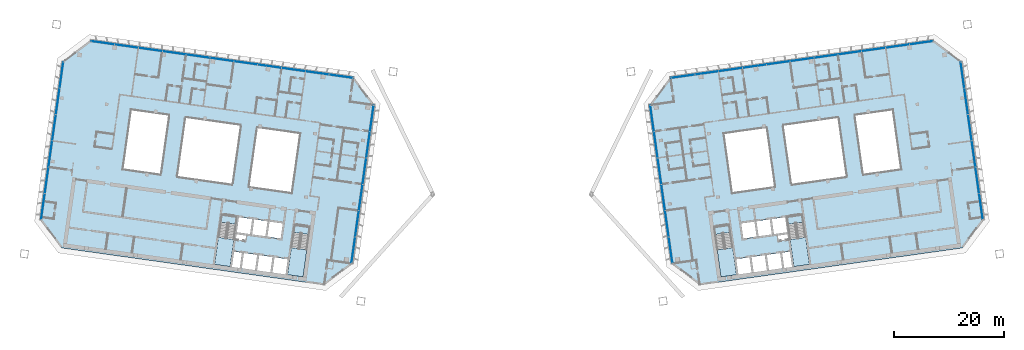
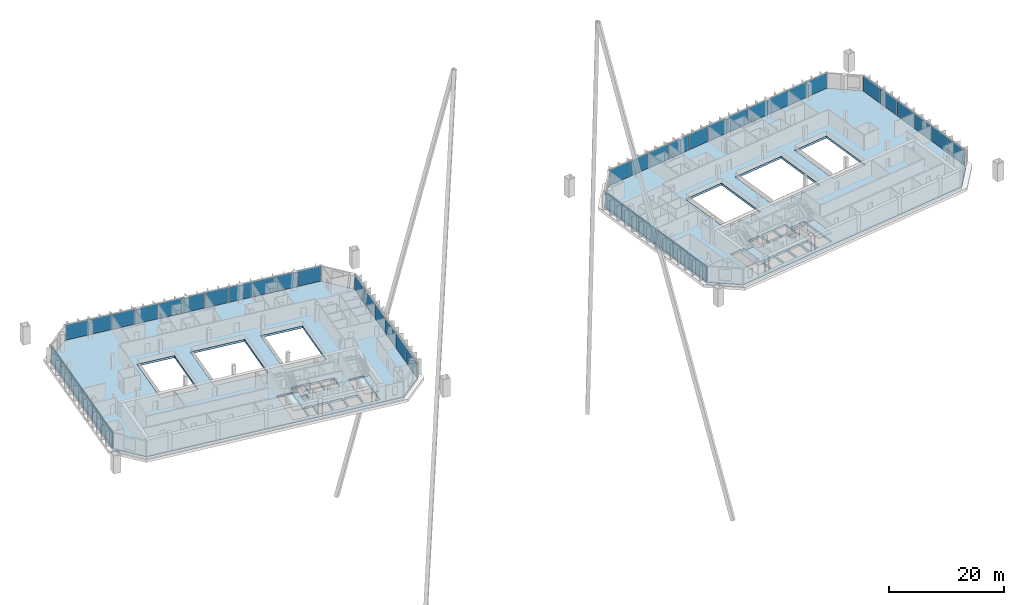
# One storey, part 15 of 26: 46 plates, 6 slabs, 10 elements without a shape of their own.
"""IFC4 building model written with IfcOpenShell, lengths in metres."""

from ifc_helpers import new_model, si_unit, direction, frame, origin, origin_2d, place, context, subcontext, project, spatial, polyline, rectangle, outline, extrude, material, layer, layer_set, type_object, element, aggregate, save


model = new_model("IFC4")

# Units and contexts
model_context = context("Model", 3, precision=1e-05, world=origin(), true_north=direction((0.0, 1.0)))
body_context = subcontext(model_context, "Body", "Model", "MODEL_VIEW")
ifc_project = project(units=[si_unit("LENGTHUNIT", "METRE"), si_unit("AREAUNIT", "SQUARE_METRE"), si_unit("VOLUMEUNIT", "CUBIC_METRE"), si_unit("PLANEANGLEUNIT", "RADIAN"), si_unit("MASSUNIT", "GRAM", prefix="KILO")], contexts=[model_context])

# Site, building, storey
site_placement = place(None, origin())
site = spatial("IfcSite", under=ifc_project, at=site_placement, CompositionType="ELEMENT")
building_placement = place(site_placement, origin())
building = spatial("IfcBuilding", under=site, at=building_placement, Name="Mirante Cascada Hotel Towers", CompositionType="ELEMENT")
storey_placement = place(building_placement, frame((0.0, 0.0, 203.0)))
storey = spatial("IfcBuildingStorey", under=building, at=storey_placement, Name="L48", CompositionType="ELEMENT", Elevation=203.0)

# Curtain wall, plates
ifc_material_1 = material(Name="Aluminium mullion and transom frame with clear laminated glass", Category="aluminium")
curtain_wall_type_1 = type_object("IfcCurtainWallType", Name="Ribbon curtain wall ECW1", PredefinedType="NOTDEFINED", material=ifc_material_1)
curtain_wall_1_placement = place(storey_placement, origin())
curtain_wall_1 = element("IfcCurtainWall", 1, at=curtain_wall_1_placement, inside=storey, type_object=curtain_wall_type_1, Name="Front ribbon wall T1 L48", PredefinedType="NOTDEFINED")
ifc_material_2 = material(Name="Clear laminated glass", Category="glass")
ifc_layer_1 = layer(ifc_material_2, 0.036)
ifc_layer_set_1 = layer_set([ifc_layer_1], Name="ECW1 glass panel 36")
plate_type_1 = type_object("IfcPlateType", Name="ECW1 glass panel 36", PredefinedType="CURTAIN_PANEL", material=ifc_layer_set_1)
plate_1_placement = place(storey_placement, frame((-74.1576, 23.2412, 0.1), z_axis=(0.0, 0.0, 1.0), x_axis=(0.9902681, -0.1391731, 0.0)))
plate_1 = element("IfcPlate", 2, at=plate_1_placement, type_object=plate_type_1, Name="ECW1 panel 1", PredefinedType="CURTAIN_PANEL", context=body_context, shape_type="SweptSolid", body=[
    extrude(rectangle(XDim=4.2643, YDim=0.036, at=origin_2d()), origin(), (0.0, 0.0, 1.0), 3.15),
])
plate_2_placement = place(storey_placement, frame((-69.8543, 22.6364, 0.1), z_axis=(0.0, 0.0, 1.0), x_axis=(0.9902681, -0.1391731, 0.0)))
plate_2 = element("IfcPlate", 3, at=plate_2_placement, type_object=plate_type_1, Name="ECW1 panel 2", PredefinedType="CURTAIN_PANEL", context=body_context, shape_type="SweptSolid", body=[
    extrude(rectangle(XDim=4.2968, YDim=0.036, at=origin_2d()), origin(), (0.0, 0.0, 1.0), 3.15),
])
plate_3_placement = place(storey_placement, frame((-65.5349, 22.0294, 0.1), z_axis=(0.0, 0.0, 1.0), x_axis=(0.9902681, -0.1391731, 0.0)))
plate_3 = element("IfcPlate", 4, at=plate_3_placement, type_object=plate_type_1, Name="ECW1 panel 3", PredefinedType="CURTAIN_PANEL", context=body_context, shape_type="SweptSolid", body=[
    extrude(rectangle(XDim=4.2968, YDim=0.036, at=origin_2d()), origin(), (0.0, 0.0, 1.0), 3.15),
])
plate_4_placement = place(storey_placement, frame((-61.2155, 21.4223, 0.1), z_axis=(0.0, 0.0, 1.0), x_axis=(0.9902681, -0.1391731, 0.0)))
plate_4 = element("IfcPlate", 5, at=plate_4_placement, type_object=plate_type_1, Name="ECW1 panel 4", PredefinedType="CURTAIN_PANEL", context=body_context, shape_type="SweptSolid", body=[
    extrude(rectangle(XDim=4.2968, YDim=0.036, at=origin_2d()), origin(), (0.0, 0.0, 1.0), 3.15),
])
plate_5_placement = place(storey_placement, frame((-56.8961, 20.8153, 0.1), z_axis=(0.0, 0.0, 1.0), x_axis=(0.9902681, -0.1391731, 0.0)))
plate_5 = element("IfcPlate", 6, at=plate_5_placement, type_object=plate_type_1, Name="ECW1 panel 5", PredefinedType="CURTAIN_PANEL", context=body_context, shape_type="SweptSolid", body=[
    extrude(rectangle(XDim=4.2968, YDim=0.036, at=origin_2d()), origin(), (0.0, 0.0, 1.0), 3.15),
])
plate_6_placement = place(storey_placement, frame((-52.5768, 20.2082, 0.1), z_axis=(0.0, 0.0, 1.0), x_axis=(0.9902681, -0.1391731, 0.0)))
plate_6 = element("IfcPlate", 7, at=plate_6_placement, type_object=plate_type_1, Name="ECW1 panel 6", PredefinedType="CURTAIN_PANEL", context=body_context, shape_type="SweptSolid", body=[
    extrude(rectangle(XDim=4.2968, YDim=0.036, at=origin_2d()), origin(), (0.0, 0.0, 1.0), 3.15),
])
plate_7_placement = place(storey_placement, frame((-48.2574, 19.6012, 0.1), z_axis=(0.0, 0.0, 1.0), x_axis=(0.9902681, -0.1391731, 0.0)))
plate_7 = element("IfcPlate", 8, at=plate_7_placement, type_object=plate_type_1, Name="ECW1 panel 7", PredefinedType="CURTAIN_PANEL", context=body_context, shape_type="SweptSolid", body=[
    extrude(rectangle(XDim=4.2968, YDim=0.036, at=origin_2d()), origin(), (0.0, 0.0, 1.0), 3.15),
])
plate_8_placement = place(storey_placement, frame((-43.938, 18.9941, 0.1), z_axis=(0.0, 0.0, 1.0), x_axis=(0.9902681, -0.1391731, 0.0)))
plate_8 = element("IfcPlate", 9, at=plate_8_placement, type_object=plate_type_1, Name="ECW1 panel 8", PredefinedType="CURTAIN_PANEL", context=body_context, shape_type="SweptSolid", body=[
    extrude(rectangle(XDim=4.2968, YDim=0.036, at=origin_2d()), origin(), (0.0, 0.0, 1.0), 3.15),
])
plate_9_placement = place(storey_placement, frame((-39.6187, 18.3871, 0.1), z_axis=(0.0, 0.0, 1.0), x_axis=(0.9902681, -0.1391731, 0.0)))
plate_9 = element("IfcPlate", 10, at=plate_9_placement, type_object=plate_type_1, Name="ECW1 panel 9", PredefinedType="CURTAIN_PANEL", context=body_context, shape_type="SweptSolid", body=[
    extrude(rectangle(XDim=4.2968, YDim=0.036, at=origin_2d()), origin(), (0.0, 0.0, 1.0), 3.15),
])
plate_10_placement = place(storey_placement, frame((-35.2993, 17.78, 0.1), z_axis=(0.0, 0.0, 1.0), x_axis=(0.9902681, -0.1391731, 0.0)))
plate_10 = element("IfcPlate", 11, at=plate_10_placement, type_object=plate_type_1, Name="ECW1 panel 10", PredefinedType="CURTAIN_PANEL", context=body_context, shape_type="SweptSolid", body=[
    extrude(rectangle(XDim=4.2968, YDim=0.036, at=origin_2d()), origin(), (0.0, 0.0, 1.0), 3.15),
])
plate_11_placement = place(storey_placement, frame((-30.996, 17.1752, 0.1), z_axis=(0.0, 0.0, 1.0), x_axis=(0.9902681, -0.1391731, 0.0)))
plate_11 = element("IfcPlate", 12, at=plate_11_placement, type_object=plate_type_1, Name="ECW1 panel 11", PredefinedType="CURTAIN_PANEL", context=body_context, shape_type="SweptSolid", body=[
    extrude(rectangle(XDim=4.2643, YDim=0.036, at=origin_2d()), origin(), (0.0, 0.0, 1.0), 3.15),
])
aggregate(curtain_wall_1, [plate_1, plate_2, plate_3, plate_4, plate_5, plate_6, plate_7, plate_8, plate_9, plate_10, plate_11])

curtain_wall_2_placement = place(storey_placement, origin())
curtain_wall_2 = element("IfcCurtainWall", 13, at=curtain_wall_2_placement, inside=storey, type_object=curtain_wall_type_1, Name="Front ribbon wall T2 L48", PredefinedType="NOTDEFINED")
plate_12_placement = place(storey_placement, frame((74.1576, 23.2412, 0.1), z_axis=(0.0, 0.0, 1.0), x_axis=(-0.9902681, -0.1391731, 0.0)))
plate_12 = element("IfcPlate", 14, at=plate_12_placement, type_object=plate_type_1, Name="ECW1 panel 1", PredefinedType="CURTAIN_PANEL", context=body_context, shape_type="SweptSolid", body=[
    extrude(rectangle(XDim=4.2643, YDim=0.036, at=origin_2d()), origin(), (0.0, 0.0, 1.0), 3.15),
])
plate_13_placement = place(storey_placement, frame((69.8543, 22.6364, 0.1), z_axis=(0.0, 0.0, 1.0), x_axis=(-0.9902681, -0.1391731, 0.0)))
plate_13 = element("IfcPlate", 15, at=plate_13_placement, type_object=plate_type_1, Name="ECW1 panel 2", PredefinedType="CURTAIN_PANEL", context=body_context, shape_type="SweptSolid", body=[
    extrude(rectangle(XDim=4.2968, YDim=0.036, at=origin_2d()), origin(), (0.0, 0.0, 1.0), 3.15),
])
plate_14_placement = place(storey_placement, frame((65.5349, 22.0294, 0.1), z_axis=(0.0, 0.0, 1.0), x_axis=(-0.9902681, -0.1391731, 0.0)))
plate_14 = element("IfcPlate", 16, at=plate_14_placement, type_object=plate_type_1, Name="ECW1 panel 3", PredefinedType="CURTAIN_PANEL", context=body_context, shape_type="SweptSolid", body=[
    extrude(rectangle(XDim=4.2968, YDim=0.036, at=origin_2d()), origin(), (0.0, 0.0, 1.0), 3.15),
])
plate_15_placement = place(storey_placement, frame((61.2155, 21.4223, 0.1), z_axis=(0.0, 0.0, 1.0), x_axis=(-0.9902681, -0.1391731, 0.0)))
plate_15 = element("IfcPlate", 17, at=plate_15_placement, type_object=plate_type_1, Name="ECW1 panel 4", PredefinedType="CURTAIN_PANEL", context=body_context, shape_type="SweptSolid", body=[
    extrude(rectangle(XDim=4.2968, YDim=0.036, at=origin_2d()), origin(), (0.0, 0.0, 1.0), 3.15),
])
plate_16_placement = place(storey_placement, frame((56.8961, 20.8153, 0.1), z_axis=(0.0, 0.0, 1.0), x_axis=(-0.9902681, -0.1391731, 0.0)))
plate_16 = element("IfcPlate", 18, at=plate_16_placement, type_object=plate_type_1, Name="ECW1 panel 5", PredefinedType="CURTAIN_PANEL", context=body_context, shape_type="SweptSolid", body=[
    extrude(rectangle(XDim=4.2968, YDim=0.036, at=origin_2d()), origin(), (0.0, 0.0, 1.0), 3.15),
])
plate_17_placement = place(storey_placement, frame((52.5768, 20.2082, 0.1), z_axis=(0.0, 0.0, 1.0), x_axis=(-0.9902681, -0.1391731, 0.0)))
plate_17 = element("IfcPlate", 19, at=plate_17_placement, type_object=plate_type_1, Name="ECW1 panel 6", PredefinedType="CURTAIN_PANEL", context=body_context, shape_type="SweptSolid", body=[
    extrude(rectangle(XDim=4.2968, YDim=0.036, at=origin_2d()), origin(), (0.0, 0.0, 1.0), 3.15),
])
plate_18_placement = place(storey_placement, frame((48.2574, 19.6012, 0.1), z_axis=(0.0, 0.0, 1.0), x_axis=(-0.9902681, -0.1391731, 0.0)))
plate_18 = element("IfcPlate", 20, at=plate_18_placement, type_object=plate_type_1, Name="ECW1 panel 7", PredefinedType="CURTAIN_PANEL", context=body_context, shape_type="SweptSolid", body=[
    extrude(rectangle(XDim=4.2968, YDim=0.036, at=origin_2d()), origin(), (0.0, 0.0, 1.0), 3.15),
])
plate_19_placement = place(storey_placement, frame((43.938, 18.9941, 0.1), z_axis=(0.0, 0.0, 1.0), x_axis=(-0.9902681, -0.1391731, 0.0)))
plate_19 = element("IfcPlate", 21, at=plate_19_placement, type_object=plate_type_1, Name="ECW1 panel 8", PredefinedType="CURTAIN_PANEL", context=body_context, shape_type="SweptSolid", body=[
    extrude(rectangle(XDim=4.2968, YDim=0.036, at=origin_2d()), origin(), (0.0, 0.0, 1.0), 3.15),
])
plate_20_placement = place(storey_placement, frame((39.6187, 18.3871, 0.1), z_axis=(0.0, 0.0, 1.0), x_axis=(-0.9902681, -0.1391731, 0.0)))
plate_20 = element("IfcPlate", 22, at=plate_20_placement, type_object=plate_type_1, Name="ECW1 panel 9", PredefinedType="CURTAIN_PANEL", context=body_context, shape_type="SweptSolid", body=[
    extrude(rectangle(XDim=4.2968, YDim=0.036, at=origin_2d()), origin(), (0.0, 0.0, 1.0), 3.15),
])
plate_21_placement = place(storey_placement, frame((35.2993, 17.78, 0.1), z_axis=(0.0, 0.0, 1.0), x_axis=(-0.9902681, -0.1391731, 0.0)))
plate_21 = element("IfcPlate", 23, at=plate_21_placement, type_object=plate_type_1, Name="ECW1 panel 10", PredefinedType="CURTAIN_PANEL", context=body_context, shape_type="SweptSolid", body=[
    extrude(rectangle(XDim=4.2968, YDim=0.036, at=origin_2d()), origin(), (0.0, 0.0, 1.0), 3.15),
])
plate_22_placement = place(storey_placement, frame((30.996, 17.1752, 0.1), z_axis=(0.0, 0.0, 1.0), x_axis=(-0.9902681, -0.1391731, 0.0)))
plate_22 = element("IfcPlate", 24, at=plate_22_placement, type_object=plate_type_1, Name="ECW1 panel 11", PredefinedType="CURTAIN_PANEL", context=body_context, shape_type="SweptSolid", body=[
    extrude(rectangle(XDim=4.2643, YDim=0.036, at=origin_2d()), origin(), (0.0, 0.0, 1.0), 3.15),
])
aggregate(curtain_wall_2, [plate_12, plate_13, plate_14, plate_15, plate_16, plate_17, plate_18, plate_19, plate_20, plate_21, plate_22])

ifc_material_3 = material(Name="Aluminium mullion and transom frame with clear laminated glass", Category="aluminium")
curtain_wall_type_2 = type_object("IfcCurtainWallType", Name="End ribbon curtain wall ECW2", PredefinedType="NOTDEFINED", material=ifc_material_3)
curtain_wall_3_placement = place(storey_placement, origin())
curtain_wall_3 = element("IfcCurtainWall", 25, at=curtain_wall_3_placement, inside=storey, type_object=curtain_wall_type_2, Name="Inner end wall T1 L48", PredefinedType="NOTDEFINED")
ifc_material_4 = material(Name="Clear laminated glass", Category="glass")
ifc_layer_2 = layer(ifc_material_4, 0.034)
ifc_layer_set_2 = layer_set([ifc_layer_2], Name="ECW2 glass panel 34")
plate_type_2 = type_object("IfcPlateType", Name="ECW2 glass panel 34", PredefinedType="CURTAIN_PANEL", material=ifc_layer_set_2)
plate_23_placement = place(storey_placement, frame((-25.4022, 9.4872, 0.1), z_axis=(0.0, 0.0, 1.0), x_axis=(-0.1391731, -0.9902681, 0.0)))
plate_23 = element("IfcPlate", 26, at=plate_23_placement, type_object=plate_type_2, Name="ECW2 panel 1", PredefinedType="CURTAIN_PANEL", context=body_context, shape_type="SweptSolid", body=[
    extrude(rectangle(XDim=4.7151, YDim=0.034, at=origin_2d()), origin(), (0.0, 0.0, 1.0), 3.15),
])
plate_24_placement = place(storey_placement, frame((-26.0698, 4.7375, 0.1), z_axis=(0.0, 0.0, 1.0), x_axis=(-0.1391731, -0.9902681, 0.0)))
plate_24 = element("IfcPlate", 27, at=plate_24_placement, type_object=plate_type_2, Name="ECW2 panel 2", PredefinedType="CURTAIN_PANEL", context=body_context, shape_type="SweptSolid", body=[
    extrude(rectangle(XDim=4.7476, YDim=0.034, at=origin_2d()), origin(), (0.0, 0.0, 1.0), 3.15),
])
plate_25_placement = place(storey_placement, frame((-26.7395, -0.0283, 0.1), z_axis=(0.0, 0.0, 1.0), x_axis=(-0.1391731, -0.9902681, 0.0)))
plate_25 = element("IfcPlate", 28, at=plate_25_placement, type_object=plate_type_2, Name="ECW2 panel 3", PredefinedType="CURTAIN_PANEL", context=body_context, shape_type="SweptSolid", body=[
    extrude(rectangle(XDim=4.7476, YDim=0.034, at=origin_2d()), origin(), (0.0, 0.0, 1.0), 3.15),
])
plate_26_placement = place(storey_placement, frame((-27.4093, -4.7941, 0.1), z_axis=(0.0, 0.0, 1.0), x_axis=(-0.1391731, -0.9902681, 0.0)))
plate_26 = element("IfcPlate", 29, at=plate_26_placement, type_object=plate_type_2, Name="ECW2 panel 4", PredefinedType="CURTAIN_PANEL", context=body_context, shape_type="SweptSolid", body=[
    extrude(rectangle(XDim=4.7476, YDim=0.034, at=origin_2d()), origin(), (0.0, 0.0, 1.0), 3.15),
])
plate_27_placement = place(storey_placement, frame((-28.0791, -9.5598, 0.1), z_axis=(0.0, 0.0, 1.0), x_axis=(-0.1391731, -0.9902681, 0.0)))
plate_27 = element("IfcPlate", 30, at=plate_27_placement, type_object=plate_type_2, Name="ECW2 panel 5", PredefinedType="CURTAIN_PANEL", context=body_context, shape_type="SweptSolid", body=[
    extrude(rectangle(XDim=4.7476, YDim=0.034, at=origin_2d()), origin(), (0.0, 0.0, 1.0), 3.15),
])
plate_28_placement = place(storey_placement, frame((-28.7466, -14.3095, 0.1), z_axis=(0.0, 0.0, 1.0), x_axis=(-0.1391731, -0.9902681, 0.0)))
plate_28 = element("IfcPlate", 31, at=plate_28_placement, type_object=plate_type_2, Name="ECW2 panel 6", PredefinedType="CURTAIN_PANEL", context=body_context, shape_type="SweptSolid", body=[
    extrude(rectangle(XDim=4.7151, YDim=0.034, at=origin_2d()), origin(), (0.0, 0.0, 1.0), 3.15),
])
aggregate(curtain_wall_3, [plate_23, plate_24, plate_25, plate_26, plate_27, plate_28])

curtain_wall_4_placement = place(storey_placement, origin())
curtain_wall_4 = element("IfcCurtainWall", 32, at=curtain_wall_4_placement, inside=storey, type_object=curtain_wall_type_2, Name="Outer end wall T1 L48", PredefinedType="NOTDEFINED")
plate_29_placement = place(storey_placement, frame((-84.9981, -6.4039, 0.1), z_axis=(0.0, 0.0, 1.0), x_axis=(0.1391731, 0.9902681, 0.0)))
plate_29 = element("IfcPlate", 33, at=plate_29_placement, type_object=plate_type_2, Name="ECW2 panel 1", PredefinedType="CURTAIN_PANEL", context=body_context, shape_type="SweptSolid", body=[
    extrude(rectangle(XDim=4.7151, YDim=0.034, at=origin_2d()), origin(), (0.0, 0.0, 1.0), 3.15),
])
plate_30_placement = place(storey_placement, frame((-84.3306, -1.6542, 0.1), z_axis=(0.0, 0.0, 1.0), x_axis=(0.1391731, 0.9902681, 0.0)))
plate_30 = element("IfcPlate", 34, at=plate_30_placement, type_object=plate_type_2, Name="ECW2 panel 2", PredefinedType="CURTAIN_PANEL", context=body_context, shape_type="SweptSolid", body=[
    extrude(rectangle(XDim=4.7476, YDim=0.034, at=origin_2d()), origin(), (0.0, 0.0, 1.0), 3.15),
])
plate_31_placement = place(storey_placement, frame((-82.3213, 12.6432, 0.1), z_axis=(0.0, 0.0, 1.0), x_axis=(0.1391731, 0.9902681, 0.0)))
plate_31 = element("IfcPlate", 35, at=plate_31_placement, type_object=plate_type_2, Name="ECW2 panel 5", PredefinedType="CURTAIN_PANEL", context=body_context, shape_type="SweptSolid", body=[
    extrude(rectangle(XDim=4.7476, YDim=0.034, at=origin_2d()), origin(), (0.0, 0.0, 1.0), 3.15),
])
plate_32_placement = place(storey_placement, frame((-81.6537, 17.3928, 0.1), z_axis=(0.0, 0.0, 1.0), x_axis=(0.1391731, 0.9902681, 0.0)))
plate_32 = element("IfcPlate", 36, at=plate_32_placement, type_object=plate_type_2, Name="ECW2 panel 6", PredefinedType="CURTAIN_PANEL", context=body_context, shape_type="SweptSolid", body=[
    extrude(rectangle(XDim=4.7151, YDim=0.034, at=origin_2d()), origin(), (0.0, 0.0, 1.0), 3.15),
])

curtain_wall_5_placement = place(storey_placement, origin())
curtain_wall_5 = element("IfcCurtainWall", 37, at=curtain_wall_5_placement, inside=storey, type_object=curtain_wall_type_2, Name="Inner end wall T2 L48", PredefinedType="NOTDEFINED")
plate_33_placement = place(storey_placement, frame((25.4022, 9.4872, 0.1), z_axis=(0.0, 0.0, 1.0), x_axis=(0.1391731, -0.9902681, 0.0)))
plate_33 = element("IfcPlate", 38, at=plate_33_placement, type_object=plate_type_2, Name="ECW2 panel 1", PredefinedType="CURTAIN_PANEL", context=body_context, shape_type="SweptSolid", body=[
    extrude(rectangle(XDim=4.7151, YDim=0.034, at=origin_2d()), origin(), (0.0, 0.0, 1.0), 3.15),
])
plate_34_placement = place(storey_placement, frame((26.0698, 4.7375, 0.1), z_axis=(0.0, 0.0, 1.0), x_axis=(0.1391731, -0.9902681, 0.0)))
plate_34 = element("IfcPlate", 39, at=plate_34_placement, type_object=plate_type_2, Name="ECW2 panel 2", PredefinedType="CURTAIN_PANEL", context=body_context, shape_type="SweptSolid", body=[
    extrude(rectangle(XDim=4.7476, YDim=0.034, at=origin_2d()), origin(), (0.0, 0.0, 1.0), 3.15),
])
plate_35_placement = place(storey_placement, frame((26.7395, -0.0283, 0.1), z_axis=(0.0, 0.0, 1.0), x_axis=(0.1391731, -0.9902681, 0.0)))
plate_35 = element("IfcPlate", 40, at=plate_35_placement, type_object=plate_type_2, Name="ECW2 panel 3", PredefinedType="CURTAIN_PANEL", context=body_context, shape_type="SweptSolid", body=[
    extrude(rectangle(XDim=4.7476, YDim=0.034, at=origin_2d()), origin(), (0.0, 0.0, 1.0), 3.15),
])
plate_36_placement = place(storey_placement, frame((27.4093, -4.7941, 0.1), z_axis=(0.0, 0.0, 1.0), x_axis=(0.1391731, -0.9902681, 0.0)))
plate_36 = element("IfcPlate", 41, at=plate_36_placement, type_object=plate_type_2, Name="ECW2 panel 4", PredefinedType="CURTAIN_PANEL", context=body_context, shape_type="SweptSolid", body=[
    extrude(rectangle(XDim=4.7476, YDim=0.034, at=origin_2d()), origin(), (0.0, 0.0, 1.0), 3.15),
])
plate_37_placement = place(storey_placement, frame((28.0791, -9.5598, 0.1), z_axis=(0.0, 0.0, 1.0), x_axis=(0.1391731, -0.9902681, 0.0)))
plate_37 = element("IfcPlate", 42, at=plate_37_placement, type_object=plate_type_2, Name="ECW2 panel 5", PredefinedType="CURTAIN_PANEL", context=body_context, shape_type="SweptSolid", body=[
    extrude(rectangle(XDim=4.7476, YDim=0.034, at=origin_2d()), origin(), (0.0, 0.0, 1.0), 3.15),
])
plate_38_placement = place(storey_placement, frame((28.7466, -14.3095, 0.1), z_axis=(0.0, 0.0, 1.0), x_axis=(0.1391731, -0.9902681, 0.0)))
plate_38 = element("IfcPlate", 43, at=plate_38_placement, type_object=plate_type_2, Name="ECW2 panel 6", PredefinedType="CURTAIN_PANEL", context=body_context, shape_type="SweptSolid", body=[
    extrude(rectangle(XDim=4.7151, YDim=0.034, at=origin_2d()), origin(), (0.0, 0.0, 1.0), 3.15),
])
aggregate(curtain_wall_5, [plate_33, plate_34, plate_35, plate_36, plate_37, plate_38])

curtain_wall_6_placement = place(storey_placement, origin())
curtain_wall_6 = element("IfcCurtainWall", 44, at=curtain_wall_6_placement, inside=storey, type_object=curtain_wall_type_2, Name="Outer end wall T2 L48", PredefinedType="NOTDEFINED")
plate_39_placement = place(storey_placement, frame((84.9981, -6.4039, 0.1), z_axis=(0.0, 0.0, 1.0), x_axis=(-0.1391731, 0.9902681, 0.0)))
plate_39 = element("IfcPlate", 45, at=plate_39_placement, type_object=plate_type_2, Name="ECW2 panel 1", PredefinedType="CURTAIN_PANEL", context=body_context, shape_type="SweptSolid", body=[
    extrude(rectangle(XDim=4.7151, YDim=0.034, at=origin_2d()), origin(), (0.0, 0.0, 1.0), 3.15),
])
plate_40_placement = place(storey_placement, frame((84.3306, -1.6542, 0.1), z_axis=(0.0, 0.0, 1.0), x_axis=(-0.1391731, 0.9902681, 0.0)))
plate_40 = element("IfcPlate", 46, at=plate_40_placement, type_object=plate_type_2, Name="ECW2 panel 2", PredefinedType="CURTAIN_PANEL", context=body_context, shape_type="SweptSolid", body=[
    extrude(rectangle(XDim=4.7476, YDim=0.034, at=origin_2d()), origin(), (0.0, 0.0, 1.0), 3.15),
])
plate_41_placement = place(storey_placement, frame((82.3213, 12.6432, 0.1), z_axis=(0.0, 0.0, 1.0), x_axis=(-0.1391731, 0.9902681, 0.0)))
plate_41 = element("IfcPlate", 47, at=plate_41_placement, type_object=plate_type_2, Name="ECW2 panel 5", PredefinedType="CURTAIN_PANEL", context=body_context, shape_type="SweptSolid", body=[
    extrude(rectangle(XDim=4.7476, YDim=0.034, at=origin_2d()), origin(), (0.0, 0.0, 1.0), 3.15),
])
plate_42_placement = place(storey_placement, frame((81.6537, 17.3928, 0.1), z_axis=(0.0, 0.0, 1.0), x_axis=(-0.1391731, 0.9902681, 0.0)))
plate_42 = element("IfcPlate", 48, at=plate_42_placement, type_object=plate_type_2, Name="ECW2 panel 6", PredefinedType="CURTAIN_PANEL", context=body_context, shape_type="SweptSolid", body=[
    extrude(rectangle(XDim=4.7151, YDim=0.034, at=origin_2d()), origin(), (0.0, 0.0, 1.0), 3.15),
])

# Plate
ifc_material_5 = material(Name="Insulated aluminium spandrel panel", Category="aluminium")
ifc_layer_3 = layer(ifc_material_5, 0.034)
ifc_layer_set_3 = layer_set([ifc_layer_3], Name="ECW2 spandrel panel 34")
plate_type_3 = type_object("IfcPlateType", Name="ECW2 spandrel panel 34", PredefinedType="CURTAIN_PANEL", material=ifc_layer_set_3)
plate_43_placement = place(storey_placement, frame((-83.6608, 3.1116, 0.1), z_axis=(0.0, 0.0, 1.0), x_axis=(0.1391731, 0.9902681, 0.0)))
plate_43 = element("IfcPlate", 49, at=plate_43_placement, type_object=plate_type_3, Name="ECW2 panel 3", PredefinedType="CURTAIN_PANEL", context=body_context, shape_type="SweptSolid", body=[
    extrude(rectangle(XDim=4.7476, YDim=0.034, at=origin_2d()), origin(), (0.0, 0.0, 1.0), 3.15),
])

plate_44_placement = place(storey_placement, frame((-82.991, 7.8774, 0.1), z_axis=(0.0, 0.0, 1.0), x_axis=(0.1391731, 0.9902681, 0.0)))
plate_44 = element("IfcPlate", 50, at=plate_44_placement, type_object=plate_type_3, Name="ECW2 panel 4", PredefinedType="CURTAIN_PANEL", context=body_context, shape_type="SweptSolid", body=[
    extrude(rectangle(XDim=4.7476, YDim=0.034, at=origin_2d()), origin(), (0.0, 0.0, 1.0), 3.15),
])

aggregate(curtain_wall_4, [plate_29, plate_30, plate_43, plate_44, plate_31, plate_32])

plate_45_placement = place(storey_placement, frame((83.6608, 3.1116, 0.1), z_axis=(0.0, 0.0, 1.0), x_axis=(-0.1391731, 0.9902681, 0.0)))
plate_45 = element("IfcPlate", 51, at=plate_45_placement, type_object=plate_type_3, Name="ECW2 panel 3", PredefinedType="CURTAIN_PANEL", context=body_context, shape_type="SweptSolid", body=[
    extrude(rectangle(XDim=4.7476, YDim=0.034, at=origin_2d()), origin(), (0.0, 0.0, 1.0), 3.15),
])

plate_46_placement = place(storey_placement, frame((82.991, 7.8774, 0.1), z_axis=(0.0, 0.0, 1.0), x_axis=(-0.1391731, 0.9902681, 0.0)))
plate_46 = element("IfcPlate", 52, at=plate_46_placement, type_object=plate_type_3, Name="ECW2 panel 4", PredefinedType="CURTAIN_PANEL", context=body_context, shape_type="SweptSolid", body=[
    extrude(rectangle(XDim=4.7476, YDim=0.034, at=origin_2d()), origin(), (0.0, 0.0, 1.0), 3.15),
])

aggregate(curtain_wall_6, [plate_39, plate_40, plate_45, plate_46, plate_41, plate_42])

# Stair, slab
ifc_material_6 = material(Name="Concrete C35/45", Category="concrete")
stair_type = type_object("IfcStairType", Name="Exit stair half-turn 1350 concrete C35/45", PredefinedType="HALF_TURN_STAIR", material=ifc_material_6)
stair_1_placement = place(storey_placement, origin())
stair_1 = element("IfcStair", 53, at=stair_1_placement, inside=storey, type_object=stair_type, Name="L48 Exit stair A", PredefinedType="HALF_TURN_STAIR")
ifc_material_7 = material(Name="Concrete C35/45", Category="concrete")
ifc_layer_4 = layer(ifc_material_7, 0.2)
ifc_layer_set_4 = layer_set([ifc_layer_4], Name="Exit stair landing 200 concrete C35/45")
slab_type_1 = type_object("IfcSlabType", Name="Exit stair landing 200 concrete C35/45", PredefinedType="LANDING", material=ifc_layer_set_4)
slab_1_placement = place(storey_placement, frame((0.0, 0.0, 1.7)))
slab_1 = element("IfcSlab", 54, at=slab_1_placement, type_object=slab_type_1, Name="ST1-A landing 1", PredefinedType="LANDING", context=body_context, shape_type="SweptSolid", body=[
    extrude(outline(polyline([(-39.9987, -13.8659), (-40.6887, -18.7757), (-37.8665, -19.1723), (-37.1765, -14.2626), (-39.9987, -13.8659)])), origin(), (0.0, 0.0, 1.0), 0.2),
])
aggregate(stair_1, [slab_1])

stair_2_placement = place(storey_placement, origin())
stair_2 = element("IfcStair", 55, at=stair_2_placement, inside=storey, type_object=stair_type, Name="L48 Exit stair B", PredefinedType="HALF_TURN_STAIR")
slab_2_placement = place(storey_placement, frame((0.0, 0.0, 1.7)))
slab_2 = element("IfcSlab", 56, at=slab_2_placement, type_object=slab_type_1, Name="ST1-B landing 1", PredefinedType="LANDING", context=body_context, shape_type="SweptSolid", body=[
    extrude(outline(polyline([(-53.2188, -12.008), (-53.9088, -16.9177), (-51.0866, -17.3144), (-50.3965, -12.4046), (-53.2188, -12.008)])), origin(), (0.0, 0.0, 1.0), 0.2),
])
aggregate(stair_2, [slab_2])

stair_3_placement = place(storey_placement, origin())
stair_3 = element("IfcStair", 57, at=stair_3_placement, inside=storey, type_object=stair_type, Name="L48 Exit stair A", PredefinedType="HALF_TURN_STAIR")
slab_3_placement = place(storey_placement, frame((0.0, 0.0, 1.7)))
slab_3 = element("IfcSlab", 58, at=slab_3_placement, type_object=slab_type_1, Name="ST2-A landing 1", PredefinedType="LANDING", context=body_context, shape_type="SweptSolid", body=[
    extrude(outline(polyline([(37.1765, -14.2626), (37.8665, -19.1723), (40.6887, -18.7757), (39.9987, -13.8659), (37.1765, -14.2626)])), origin(), (0.0, 0.0, 1.0), 0.2),
])
aggregate(stair_3, [slab_3])

stair_4_placement = place(storey_placement, origin())
stair_4 = element("IfcStair", 59, at=stair_4_placement, inside=storey, type_object=stair_type, Name="L48 Exit stair B", PredefinedType="HALF_TURN_STAIR")
slab_4_placement = place(storey_placement, frame((0.0, 0.0, 1.7)))
slab_4 = element("IfcSlab", 60, at=slab_4_placement, type_object=slab_type_1, Name="ST2-B landing 1", PredefinedType="LANDING", context=body_context, shape_type="SweptSolid", body=[
    extrude(outline(polyline([(50.3965, -12.4046), (51.0866, -17.3144), (53.9088, -16.9177), (53.2188, -12.008), (50.3965, -12.4046)])), origin(), (0.0, 0.0, 1.0), 0.2),
])
aggregate(stair_4, [slab_4])

# Slabs
ifc_material_8 = material(Name="Concrete C40/50", Category="concrete")
ifc_layer_5 = layer(ifc_material_8, 0.45)
ifc_layer_set_5 = layer_set([ifc_layer_5], Name="Post-tensioned flat plate 450 Concrete C40/50")
slab_type_2 = type_object("IfcSlabType", Name="Post-tensioned flat plate 450 Concrete C40/50", PredefinedType="FLOOR", material=ifc_layer_set_5)
slab_5_placement = place(storey_placement, frame((0.0, 0.0, -0.45)))
element("IfcSlab", 61, at=slab_5_placement, inside=storey, type_object=slab_type_2, Name="Floor T1 L48", PredefinedType="FLOOR", context=body_context, shape_type="SweptSolid", body=[
    extrude(outline(polyline([(-28.9439, -16.7909), (-24.9079, 11.9268), (-28.7378, 17.0093), (-76.374, 23.7042), (-81.4565, 19.8742), (-85.4925, -8.8435), (-81.6626, -13.926), (-34.0264, -20.6209), (-28.9439, -16.7909)]), holes=[polyline([(-40.5961, -15.9612), (-40.9858, -18.7339), (-43.4615, -18.386), (-43.0718, -15.6132), (-40.5961, -15.9612)]), polyline([(-43.3689, -15.5715), (-43.7586, -18.3442), (-46.2342, -17.9963), (-45.8446, -15.2236), (-43.3689, -15.5715)]), polyline([(-46.1416, -15.1818), (-46.5313, -17.9546), (-49.007, -17.6066), (-48.6173, -14.8339), (-46.1416, -15.1818)]), polyline([(-36.7887, -11.5037), (-37.8665, -19.1723), (-40.6887, -18.7757), (-39.611, -11.107), (-36.7887, -11.5037)]), polyline([(-43.9775, -9.124), (-41.5018, -9.472), (-41.8915, -12.2447), (-44.3672, -11.8968), (-43.9775, -9.124)]), polyline([(-44.2746, -9.0823), (-44.6643, -11.855), (-47.1399, -11.5071), (-46.7503, -8.7344), (-44.2746, -9.0823)]), polyline([(-50.3998, -14.5834), (-48.9144, -14.7921), (-49.3041, -17.5649), (-50.7895, -17.3561), (-50.3998, -14.5834)]), polyline([(-50.0088, -9.6457), (-51.0866, -17.3144), (-53.9088, -16.9177), (-52.8311, -9.2491), (-50.0088, -9.6457)]), polyline([(-48.1472, -11.6685), (-48.2829, -12.634), (-50.0901, -12.38), (-49.9544, -11.4145), (-48.1472, -11.6685)]), polyline([(-49.523, -8.3447), (-47.0473, -8.6926), (-47.437, -11.4654), (-49.9127, -11.1174), (-49.523, -8.3447)]), polyline([(-62.1247, 10.1895), (-62.1247, 10.1895), (-63.6556, -0.7034), (-63.6556, -0.7034), (-70.579, 0.2696), (-69.0481, 11.1625), (-62.1247, 10.1895)]), polyline([(-49.133, 8.3637), (-50.6639, -2.5293), (-50.6639, -2.5293), (-60.6828, -1.1212), (-60.6828, -1.1212), (-59.1519, 9.7717), (-59.1519, 9.7717), (-49.133, 8.3637)]), polyline([(-38.3508, 6.8483), (-39.8817, -4.0446), (-39.8817, -4.0446), (-47.6911, -2.9471), (-47.6911, -2.9471), (-46.1602, 7.9459), (-38.3508, 6.8483)])]), origin(), (0.0, 0.0, 1.0), 0.45),
])
slab_6_placement = place(storey_placement, frame((0.0, 0.0, -0.45)))
element("IfcSlab", 62, at=slab_6_placement, inside=storey, type_object=slab_type_2, Name="Floor T2 L48", PredefinedType="FLOOR", context=body_context, shape_type="SweptSolid", body=[
    extrude(outline(polyline([(28.9439, -16.7909), (24.9079, 11.9268), (28.7378, 17.0093), (76.374, 23.7042), (81.4565, 19.8742), (85.4925, -8.8435), (81.6626, -13.926), (34.0264, -20.6209), (28.9439, -16.7909)]), holes=[polyline([(40.5961, -15.9612), (40.9858, -18.7339), (43.4615, -18.386), (43.0718, -15.6132), (40.5961, -15.9612)]), polyline([(43.3689, -15.5715), (43.7586, -18.3442), (46.2342, -17.9963), (45.8446, -15.2236), (43.3689, -15.5715)]), polyline([(46.1416, -15.1818), (46.5313, -17.9546), (49.007, -17.6066), (48.6173, -14.8339), (46.1416, -15.1818)]), polyline([(37.8665, -19.1723), (40.6887, -18.7757), (39.611, -11.107), (36.7887, -11.5037), (37.8665, -19.1723)]), polyline([(43.9775, -9.124), (41.5018, -9.472), (41.8915, -12.2447), (44.3672, -11.8968), (43.9775, -9.124)]), polyline([(44.2746, -9.0823), (44.6643, -11.855), (47.1399, -11.5071), (46.7503, -8.7344), (44.2746, -9.0823)]), polyline([(50.3998, -14.5834), (48.9144, -14.7921), (49.3041, -17.5649), (50.7895, -17.3561), (50.3998, -14.5834)]), polyline([(51.0866, -17.3144), (53.9088, -16.9177), (52.8311, -9.2491), (50.0088, -9.6457), (51.0866, -17.3144)]), polyline([(48.1472, -11.6685), (48.2829, -12.634), (50.0901, -12.38), (49.9544, -11.4145), (48.1472, -11.6685)]), polyline([(49.523, -8.3447), (47.0473, -8.6926), (47.437, -11.4654), (49.9127, -11.1174), (49.523, -8.3447)]), polyline([(69.0481, 11.1625), (70.579, 0.2696), (63.6556, -0.7034), (63.6556, -0.7034), (62.1247, 10.1895), (62.1247, 10.1895), (69.0481, 11.1625)]), polyline([(59.1519, 9.7717), (59.1519, 9.7717), (60.6828, -1.1212), (60.6828, -1.1212), (50.6639, -2.5293), (50.6639, -2.5293), (49.133, 8.3637), (59.1519, 9.7717)]), polyline([(46.1602, 7.9459), (47.6911, -2.9471), (47.6911, -2.9471), (39.8817, -4.0446), (39.8817, -4.0446), (38.3508, 6.8483), (46.1602, 7.9459)])]), origin(), (0.0, 0.0, 1.0), 0.45),
])

save(model, "model.ifc")
